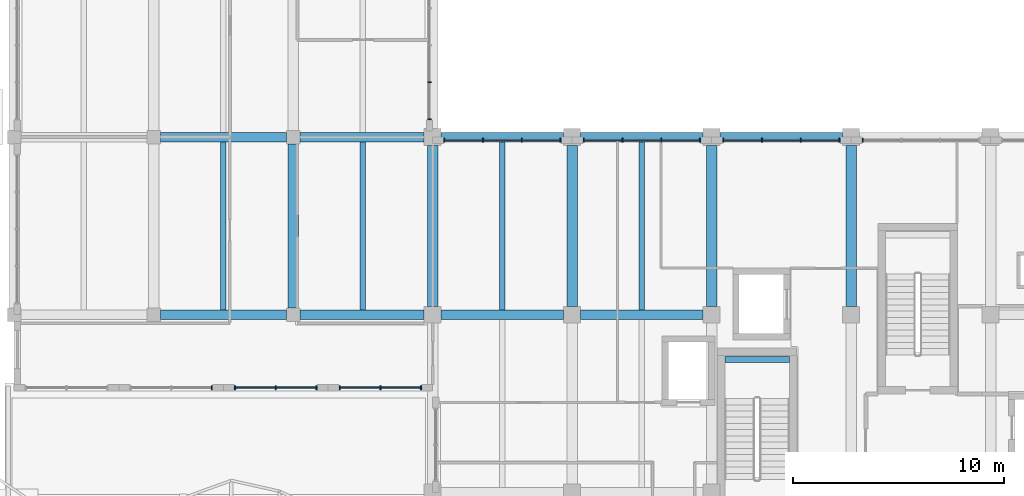
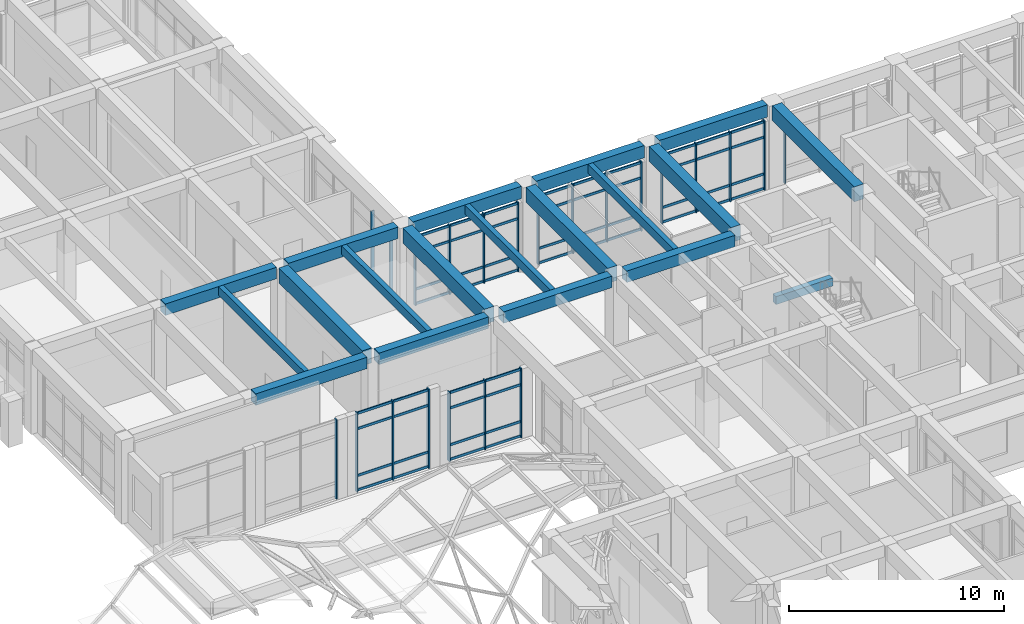
# One storey, part 29 of 79: 42 members, 19 beams, 8 elements without a shape of their own.
"""IFC4 building model written with IfcOpenShell, lengths in metres."""

from ifc_helpers import new_model, si_unit, direction, frame, origin, origin_2d, place, context, subcontext, project, spatial, rectangle, extrude, material, layer, layer_set, material_profile, profile_set, type_object, element, aggregate, save


model = new_model("IFC4")

# Units and contexts
model_context = context("Model", 3, precision=1e-05, world=origin(), true_north=direction((0.0, 1.0)))
body_context = subcontext(model_context, "Body", "Model", "MODEL_VIEW")
ifc_project = project(units=[si_unit("LENGTHUNIT", "METRE"), si_unit("AREAUNIT", "SQUARE_METRE"), si_unit("VOLUMEUNIT", "CUBIC_METRE"), si_unit("PLANEANGLEUNIT", "RADIAN"), si_unit("MASSUNIT", "GRAM", prefix="KILO")], contexts=[model_context])

# Site, building, storey
site_placement = place(None, origin())
site = spatial("IfcSite", under=ifc_project, at=site_placement, CompositionType="ELEMENT")
building_placement = place(site_placement, origin())
building = spatial("IfcBuilding", under=site, at=building_placement, Name="Kolvaren Faculty of Natural Sciences", CompositionType="ELEMENT")
storey_placement = place(building_placement, frame((0.0, 0.0, 10.199951171875)))
storey = spatial("IfcBuildingStorey", under=building, at=storey_placement, Name="L02", CompositionType="ELEMENT", Elevation=10.199951171875)

# Beam
ifc_material_1 = material(Name="Concrete C40/50", Category="concrete")
ifc_material_profile_1 = material_profile(ifc_material_1, rectangle(XDim=0.300048828125, YDim=0.449951171875, at=origin_2d()), Name="RC LNT 300x450")
ifc_profile_set_1 = profile_set([ifc_material_profile_1], Name="Concrete C40/50")
beam_type_1 = type_object("IfcBeamType", Name="CoreCouplingLintel_300x450", PredefinedType="LINTEL", material=ifc_profile_set_1)
beam_1_placement = place(storey_placement, frame((152.625, 73.679931640625, 1.97509765625), z_axis=(1.0, 0.0, 0.0), x_axis=(0.0, 1.0, 0.0)))
element("IfcBeam", 1, at=beam_1_placement, inside=storey, type_object=beam_type_1, Name="L02 ST-2 half-landing support lintel", PredefinedType="LINTEL", context=body_context, shape_type="SweptSolid", body=[
    extrude(rectangle(XDim=0.300048828125, YDim=0.449951171875, at=origin_2d()), origin(), (0.0, 0.0, 1.0), 3.050048828125),
])

# Curtain wall, members
ifc_material_2 = material(Name="Thermally broken anodised aluminium framing", Category="aluminium")
ifc_layer_1 = layer(ifc_material_2, 0.179931640625)
ifc_layer_set_1 = layer_set([ifc_layer_1], Name="Thermally broken anodised aluminium framing")
curtain_wall_type_1 = type_object("IfcCurtainWallType", Name="CommonsCurtainWall_CW02", PredefinedType="NOTDEFINED", material=ifc_layer_set_1)
curtain_wall_1_placement = place(storey_placement, origin())
curtain_wall_1 = element("IfcCurtainWall", 2, at=curtain_wall_1_placement, inside=storey, type_object=curtain_wall_type_1, Name="L02 unitised curtain wall CW-02 (CW-L02-085)", PredefinedType="NOTDEFINED")
ifc_material_profile_2 = material_profile(ifc_material_2, rectangle(XDim=0.06005859375, YDim=0.179931640625, at=origin_2d()), Name="ALU MUL 60x180")
ifc_profile_set_2 = profile_set([ifc_material_profile_2], Name="Thermally broken anodised aluminium framing")
member_type_1 = type_object("IfcMemberType", Name="CurtainMullion_60x180", PredefinedType="MULLION", material=ifc_profile_set_2)
member_1_placement = place(storey_placement, frame((138.25, 72.35009765625, 0.0), z_axis=(0.0, 0.0, 1.0), x_axis=(-1.0, 0.0, 0.0)))
member_1 = element("IfcMember", 3, at=member_1_placement, type_object=member_type_1, Name="CW-L02-085 vertical mullion 1", PredefinedType="MULLION", context=body_context, shape_type="SweptSolid", body=[
    extrude(rectangle(XDim=0.06005859375, YDim=0.179931640625, at=origin_2d()), origin(), (0.0, 0.0, 1.0), 3.93505859375),
])
member_2_placement = place(storey_placement, frame((136.324951171875, 72.35009765625, 0.0), z_axis=(0.0, 0.0, 1.0), x_axis=(-1.0, 0.0, 0.0)))
member_2 = element("IfcMember", 4, at=member_2_placement, type_object=member_type_1, Name="CW-L02-085 vertical mullion 2", PredefinedType="MULLION", context=body_context, shape_type="SweptSolid", body=[
    extrude(rectangle(XDim=0.06005859375, YDim=0.179931640625, at=origin_2d()), origin(), (0.0, 0.0, 1.0), 3.93505859375),
])
member_3_placement = place(storey_placement, frame((134.39990234375, 72.35009765625, 0.0), z_axis=(0.0, 0.0, 1.0), x_axis=(-1.0, 0.0, 0.0)))
member_3 = element("IfcMember", 5, at=member_3_placement, type_object=member_type_1, Name="CW-L02-085 vertical mullion 3", PredefinedType="MULLION", context=body_context, shape_type="SweptSolid", body=[
    extrude(rectangle(XDim=0.06005859375, YDim=0.179931640625, at=origin_2d()), origin(), (0.0, 0.0, 1.0), 3.93505859375),
])

curtain_wall_2_placement = place(storey_placement, origin())
curtain_wall_2 = element("IfcCurtainWall", 6, at=curtain_wall_2_placement, inside=storey, type_object=curtain_wall_type_1, Name="L02 unitised curtain wall CW-02 (CW-L02-086)", PredefinedType="NOTDEFINED")
member_4_placement = place(storey_placement, frame((133.300048828125, 72.35009765625, 0.0), z_axis=(0.0, 0.0, 1.0), x_axis=(-1.0, 0.0, 0.0)))
member_4 = element("IfcMember", 7, at=member_4_placement, type_object=member_type_1, Name="CW-L02-086 vertical mullion 1", PredefinedType="MULLION", context=body_context, shape_type="SweptSolid", body=[
    extrude(rectangle(XDim=0.06005859375, YDim=0.179931640625, at=origin_2d()), origin(), (0.0, 0.0, 1.0), 4.5),
])
member_5_placement = place(storey_placement, frame((131.375, 72.35009765625, 0.0), z_axis=(0.0, 0.0, 1.0), x_axis=(-1.0, 0.0, 0.0)))
member_5 = element("IfcMember", 8, at=member_5_placement, type_object=member_type_1, Name="CW-L02-086 vertical mullion 2", PredefinedType="MULLION", context=body_context, shape_type="SweptSolid", body=[
    extrude(rectangle(XDim=0.06005859375, YDim=0.179931640625, at=origin_2d()), origin(), (0.0, 0.0, 1.0), 4.5),
])
member_6_placement = place(storey_placement, frame((129.449951171875, 72.35009765625, 0.0), z_axis=(0.0, 0.0, 1.0), x_axis=(-1.0, 0.0, 0.0)))
member_6 = element("IfcMember", 9, at=member_6_placement, type_object=member_type_1, Name="CW-L02-086 vertical mullion 3", PredefinedType="MULLION", context=body_context, shape_type="SweptSolid", body=[
    extrude(rectangle(XDim=0.06005859375, YDim=0.179931640625, at=origin_2d()), origin(), (0.0, 0.0, 1.0), 4.5),
])

# Curtain wall, member
curtain_wall_3_placement = place(storey_placement, origin())
curtain_wall_3 = element("IfcCurtainWall", 10, at=curtain_wall_3_placement, inside=storey, type_object=curtain_wall_type_1, Name="L02 unitised curtain wall CW-02 (CW-L02-087)", PredefinedType="NOTDEFINED")
member_7_placement = place(storey_placement, frame((128.35009765625, 72.35009765625, 0.0), z_axis=(0.0, 0.0, 1.0), x_axis=(-1.0, 0.0, 0.0)))
member_7 = element("IfcMember", 11, at=member_7_placement, type_object=member_type_1, Name="CW-L02-087 vertical mullion 1", PredefinedType="MULLION", context=body_context, shape_type="SweptSolid", body=[
    extrude(rectangle(XDim=0.06005859375, YDim=0.179931640625, at=origin_2d()), origin(), (0.0, 0.0, 1.0), 4.5),
])
aggregate(curtain_wall_3, [member_7])

# Curtain wall, members
ifc_layer_2 = layer(ifc_material_2, 0.179931640625)
ifc_layer_set_2 = layer_set([ifc_layer_2], Name="Thermally broken anodised aluminium framing")
curtain_wall_type_2 = type_object("IfcCurtainWallType", Name="TowerNorthCurtainWall_CW03", PredefinedType="NOTDEFINED", material=ifc_layer_set_2)
curtain_wall_4_placement = place(storey_placement, origin())
curtain_wall_4 = element("IfcCurtainWall", 12, at=curtain_wall_4_placement, inside=storey, type_object=curtain_wall_type_2, Name="L02 unitised curtain wall CW-03 (CW-L02-096)", PredefinedType="NOTDEFINED")
member_8_placement = place(storey_placement, frame((138.64990234375, 86.800048828125, 0.0), z_axis=(0.0, 0.0, 1.0), x_axis=(0.0, -1.0, 0.0)))
member_8 = element("IfcMember", 13, at=member_8_placement, type_object=member_type_1, Name="CW-L02-096 vertical mullion 4", PredefinedType="MULLION", context=body_context, shape_type="SweptSolid", body=[
    extrude(rectangle(XDim=0.06005859375, YDim=0.179931640625, at=origin_2d()), origin(), (0.0, 0.0, 1.0), 3.93505859375),
])
member_9_placement = place(storey_placement, frame((138.64990234375, 85.050048828125, 0.0), z_axis=(0.0, 0.0, 1.0), x_axis=(0.0, -1.0, 0.0)))
member_9 = element("IfcMember", 14, at=member_9_placement, type_object=member_type_1, Name="CW-L02-096 vertical mullion 5", PredefinedType="MULLION", context=body_context, shape_type="SweptSolid", body=[
    extrude(rectangle(XDim=0.06005859375, YDim=0.179931640625, at=origin_2d()), origin(), (0.0, 0.0, 1.0), 3.93505859375),
])
aggregate(curtain_wall_4, [member_8, member_9])

curtain_wall_5_placement = place(storey_placement, origin())
curtain_wall_5 = element("IfcCurtainWall", 15, at=curtain_wall_5_placement, inside=storey, type_object=curtain_wall_type_2, Name="L02 unitised curtain wall CW-03 (CW-L02-097)", PredefinedType="NOTDEFINED")
member_10_placement = place(storey_placement, frame((139.35009765625, 84.050048828125, 0.0), z_axis=(0.0, 0.0, 1.0), x_axis=(1.0, 0.0, 0.0)))
member_10 = element("IfcMember", 16, at=member_10_placement, type_object=member_type_1, Name="CW-L02-097 vertical mullion 1", PredefinedType="MULLION", context=body_context, shape_type="SweptSolid", body=[
    extrude(rectangle(XDim=0.06005859375, YDim=0.179931640625, at=origin_2d()), origin(), (0.0, 0.0, 1.0), 3.93505859375),
])
member_11_placement = place(storey_placement, frame((141.183349609375, 84.050048828125, 0.0), z_axis=(0.0, 0.0, 1.0), x_axis=(1.0, 0.0, 0.0)))
member_11 = element("IfcMember", 17, at=member_11_placement, type_object=member_type_1, Name="CW-L02-097 vertical mullion 2", PredefinedType="MULLION", context=body_context, shape_type="SweptSolid", body=[
    extrude(rectangle(XDim=0.06005859375, YDim=0.179931640625, at=origin_2d()), origin(), (0.0, 0.0, 1.0), 3.93505859375),
])
member_12_placement = place(storey_placement, frame((143.0166015625, 84.050048828125, 0.0), z_axis=(0.0, 0.0, 1.0), x_axis=(1.0, 0.0, 0.0)))
member_12 = element("IfcMember", 18, at=member_12_placement, type_object=member_type_1, Name="CW-L02-097 vertical mullion 3", PredefinedType="MULLION", context=body_context, shape_type="SweptSolid", body=[
    extrude(rectangle(XDim=0.06005859375, YDim=0.179931640625, at=origin_2d()), origin(), (0.0, 0.0, 1.0), 3.93505859375),
])
member_13_placement = place(storey_placement, frame((144.85009765625, 84.050048828125, 0.0), z_axis=(0.0, 0.0, 1.0), x_axis=(1.0, 0.0, 0.0)))
member_13 = element("IfcMember", 19, at=member_13_placement, type_object=member_type_1, Name="CW-L02-097 vertical mullion 4", PredefinedType="MULLION", context=body_context, shape_type="SweptSolid", body=[
    extrude(rectangle(XDim=0.06005859375, YDim=0.179931640625, at=origin_2d()), origin(), (0.0, 0.0, 1.0), 3.93505859375),
])

curtain_wall_6_placement = place(storey_placement, origin())
curtain_wall_6 = element("IfcCurtainWall", 20, at=curtain_wall_6_placement, inside=storey, type_object=curtain_wall_type_2, Name="L02 unitised curtain wall CW-03 (CW-L02-098)", PredefinedType="NOTDEFINED")
member_14_placement = place(storey_placement, frame((145.949951171875, 84.050048828125, 0.0), z_axis=(0.0, 0.0, 1.0), x_axis=(1.0, 0.0, 0.0)))
member_14 = element("IfcMember", 21, at=member_14_placement, type_object=member_type_1, Name="CW-L02-098 vertical mullion 1", PredefinedType="MULLION", context=body_context, shape_type="SweptSolid", body=[
    extrude(rectangle(XDim=0.06005859375, YDim=0.179931640625, at=origin_2d()), origin(), (0.0, 0.0, 1.0), 3.93505859375),
])
member_15_placement = place(storey_placement, frame((147.783203125, 84.050048828125, 0.0), z_axis=(0.0, 0.0, 1.0), x_axis=(1.0, 0.0, 0.0)))
member_15 = element("IfcMember", 22, at=member_15_placement, type_object=member_type_1, Name="CW-L02-098 vertical mullion 2", PredefinedType="MULLION", context=body_context, shape_type="SweptSolid", body=[
    extrude(rectangle(XDim=0.06005859375, YDim=0.179931640625, at=origin_2d()), origin(), (0.0, 0.0, 1.0), 3.93505859375),
])
member_16_placement = place(storey_placement, frame((149.61669921875, 84.050048828125, 0.0), z_axis=(0.0, 0.0, 1.0), x_axis=(1.0, 0.0, 0.0)))
member_16 = element("IfcMember", 23, at=member_16_placement, type_object=member_type_1, Name="CW-L02-098 vertical mullion 3", PredefinedType="MULLION", context=body_context, shape_type="SweptSolid", body=[
    extrude(rectangle(XDim=0.06005859375, YDim=0.179931640625, at=origin_2d()), origin(), (0.0, 0.0, 1.0), 3.93505859375),
])
member_17_placement = place(storey_placement, frame((151.449951171875, 84.050048828125, 0.0), z_axis=(0.0, 0.0, 1.0), x_axis=(1.0, 0.0, 0.0)))
member_17 = element("IfcMember", 24, at=member_17_placement, type_object=member_type_1, Name="CW-L02-098 vertical mullion 4", PredefinedType="MULLION", context=body_context, shape_type="SweptSolid", body=[
    extrude(rectangle(XDim=0.06005859375, YDim=0.179931640625, at=origin_2d()), origin(), (0.0, 0.0, 1.0), 3.93505859375),
])

curtain_wall_7_placement = place(storey_placement, origin())
curtain_wall_7 = element("IfcCurtainWall", 25, at=curtain_wall_7_placement, inside=storey, type_object=curtain_wall_type_2, Name="L02 unitised curtain wall CW-03 (CW-L02-099)", PredefinedType="NOTDEFINED")
member_18_placement = place(storey_placement, frame((152.550048828125, 84.050048828125, 0.0), z_axis=(0.0, 0.0, 1.0), x_axis=(1.0, 0.0, 0.0)))
member_18 = element("IfcMember", 26, at=member_18_placement, type_object=member_type_1, Name="CW-L02-099 vertical mullion 1", PredefinedType="MULLION", context=body_context, shape_type="SweptSolid", body=[
    extrude(rectangle(XDim=0.06005859375, YDim=0.179931640625, at=origin_2d()), origin(), (0.0, 0.0, 1.0), 3.93505859375),
])
member_19_placement = place(storey_placement, frame((154.38330078125, 84.050048828125, 0.0), z_axis=(0.0, 0.0, 1.0), x_axis=(1.0, 0.0, 0.0)))
member_19 = element("IfcMember", 27, at=member_19_placement, type_object=member_type_1, Name="CW-L02-099 vertical mullion 2", PredefinedType="MULLION", context=body_context, shape_type="SweptSolid", body=[
    extrude(rectangle(XDim=0.06005859375, YDim=0.179931640625, at=origin_2d()), origin(), (0.0, 0.0, 1.0), 3.93505859375),
])
member_20_placement = place(storey_placement, frame((156.216796875, 84.050048828125, 0.0), z_axis=(0.0, 0.0, 1.0), x_axis=(1.0, 0.0, 0.0)))
member_20 = element("IfcMember", 28, at=member_20_placement, type_object=member_type_1, Name="CW-L02-099 vertical mullion 3", PredefinedType="MULLION", context=body_context, shape_type="SweptSolid", body=[
    extrude(rectangle(XDim=0.06005859375, YDim=0.179931640625, at=origin_2d()), origin(), (0.0, 0.0, 1.0), 3.93505859375),
])
member_21_placement = place(storey_placement, frame((158.050048828125, 84.050048828125, 0.0), z_axis=(0.0, 0.0, 1.0), x_axis=(1.0, 0.0, 0.0)))
member_21 = element("IfcMember", 29, at=member_21_placement, type_object=member_type_1, Name="CW-L02-099 vertical mullion 4", PredefinedType="MULLION", context=body_context, shape_type="SweptSolid", body=[
    extrude(rectangle(XDim=0.06005859375, YDim=0.179931640625, at=origin_2d()), origin(), (0.0, 0.0, 1.0), 3.93505859375),
])

# Curtain wall, member
curtain_wall_8_placement = place(storey_placement, origin())
curtain_wall_8 = element("IfcCurtainWall", 30, at=curtain_wall_8_placement, inside=storey, type_object=curtain_wall_type_2, Name="L02 unitised curtain wall CW-03 (CW-L02-100)", PredefinedType="NOTDEFINED")
member_22_placement = place(storey_placement, frame((159.14990234375, 84.050048828125, 0.0), z_axis=(0.0, 0.0, 1.0), x_axis=(1.0, 0.0, 0.0)))
member_22 = element("IfcMember", 31, at=member_22_placement, type_object=member_type_1, Name="CW-L02-100 vertical mullion 1", PredefinedType="MULLION", context=body_context, shape_type="SweptSolid", body=[
    extrude(rectangle(XDim=0.06005859375, YDim=0.179931640625, at=origin_2d()), origin(), (0.0, 0.0, 1.0), 3.93505859375),
])
aggregate(curtain_wall_8, [member_22])

# Member
ifc_material_profile_3 = material_profile(ifc_material_2, rectangle(XDim=0.06005859375, YDim=0.139892578125, at=origin_2d()), Name="ALU TRN 60x140")
ifc_profile_set_3 = profile_set([ifc_material_profile_3], Name="Thermally broken anodised aluminium framing")
member_type_2 = type_object("IfcMemberType", Name="CurtainTransom_60x140", PredefinedType="USERDEFINED", material=ifc_profile_set_3)
member_23_placement = place(storey_placement, frame((138.25, 72.35009765625, 0.080078125), z_axis=(-1.0, 0.0, 0.0), x_axis=(0.0, -1.0, 0.0)))
member_23 = element("IfcMember", 32, at=member_23_placement, type_object=member_type_2, Name="CW-L02-085 horizontal transom 1", ObjectType="TRANSOM", PredefinedType="USERDEFINED", context=body_context, shape_type="SweptSolid", body=[
    extrude(rectangle(XDim=0.06005859375, YDim=0.139892578125, at=origin_2d()), origin(), (0.0, 0.0, 1.0), 3.85009765625),
])

member_24_placement = place(storey_placement, frame((138.25, 72.35009765625, 0.900146484375), z_axis=(-1.0, 0.0, 0.0), x_axis=(0.0, -1.0, 0.0)))
member_24 = element("IfcMember", 33, at=member_24_placement, type_object=member_type_2, Name="CW-L02-085 horizontal transom 2", ObjectType="TRANSOM", PredefinedType="USERDEFINED", context=body_context, shape_type="SweptSolid", body=[
    extrude(rectangle(XDim=0.06005859375, YDim=0.139892578125, at=origin_2d()), origin(), (0.0, 0.0, 1.0), 3.85009765625),
])

member_25_placement = place(storey_placement, frame((138.25, 72.35009765625, 2.985107421875), z_axis=(-1.0, 0.0, 0.0), x_axis=(0.0, -1.0, 0.0)))
member_25 = element("IfcMember", 34, at=member_25_placement, type_object=member_type_2, Name="CW-L02-085 horizontal transom 3", ObjectType="TRANSOM", PredefinedType="USERDEFINED", context=body_context, shape_type="SweptSolid", body=[
    extrude(rectangle(XDim=0.06005859375, YDim=0.139892578125, at=origin_2d()), origin(), (0.0, 0.0, 1.0), 3.85009765625),
])

member_26_placement = place(storey_placement, frame((138.25, 72.35009765625, 3.85498046875), z_axis=(-1.0, 0.0, 0.0), x_axis=(0.0, -1.0, 0.0)))
member_26 = element("IfcMember", 35, at=member_26_placement, type_object=member_type_2, Name="CW-L02-085 horizontal transom 4", ObjectType="TRANSOM", PredefinedType="USERDEFINED", context=body_context, shape_type="SweptSolid", body=[
    extrude(rectangle(XDim=0.06005859375, YDim=0.139892578125, at=origin_2d()), origin(), (0.0, 0.0, 1.0), 3.85009765625),
])

aggregate(curtain_wall_1, [member_1, member_2, member_3, member_23, member_24, member_25, member_26])

member_27_placement = place(storey_placement, frame((133.300048828125, 72.35009765625, 0.080078125), z_axis=(-1.0, 0.0, 0.0), x_axis=(0.0, -1.0, 0.0)))
member_27 = element("IfcMember", 36, at=member_27_placement, type_object=member_type_2, Name="CW-L02-086 horizontal transom 1", ObjectType="TRANSOM", PredefinedType="USERDEFINED", context=body_context, shape_type="SweptSolid", body=[
    extrude(rectangle(XDim=0.06005859375, YDim=0.139892578125, at=origin_2d()), origin(), (0.0, 0.0, 1.0), 3.85009765625),
])

member_28_placement = place(storey_placement, frame((133.300048828125, 72.35009765625, 0.900146484375), z_axis=(-1.0, 0.0, 0.0), x_axis=(0.0, -1.0, 0.0)))
member_28 = element("IfcMember", 37, at=member_28_placement, type_object=member_type_2, Name="CW-L02-086 horizontal transom 2", ObjectType="TRANSOM", PredefinedType="USERDEFINED", context=body_context, shape_type="SweptSolid", body=[
    extrude(rectangle(XDim=0.06005859375, YDim=0.139892578125, at=origin_2d()), origin(), (0.0, 0.0, 1.0), 3.85009765625),
])

member_29_placement = place(storey_placement, frame((133.300048828125, 72.35009765625, 3.550048828125), z_axis=(-1.0, 0.0, 0.0), x_axis=(0.0, -1.0, 0.0)))
member_29 = element("IfcMember", 38, at=member_29_placement, type_object=member_type_2, Name="CW-L02-086 horizontal transom 3", ObjectType="TRANSOM", PredefinedType="USERDEFINED", context=body_context, shape_type="SweptSolid", body=[
    extrude(rectangle(XDim=0.06005859375, YDim=0.139892578125, at=origin_2d()), origin(), (0.0, 0.0, 1.0), 3.85009765625),
])

member_30_placement = place(storey_placement, frame((133.300048828125, 72.35009765625, 4.420166015625), z_axis=(-1.0, 0.0, 0.0), x_axis=(0.0, -1.0, 0.0)))
member_30 = element("IfcMember", 39, at=member_30_placement, type_object=member_type_2, Name="CW-L02-086 horizontal transom 4", ObjectType="TRANSOM", PredefinedType="USERDEFINED", context=body_context, shape_type="SweptSolid", body=[
    extrude(rectangle(XDim=0.06005859375, YDim=0.139892578125, at=origin_2d()), origin(), (0.0, 0.0, 1.0), 3.85009765625),
])

aggregate(curtain_wall_2, [member_4, member_5, member_6, member_27, member_28, member_29, member_30])

member_31_placement = place(storey_placement, frame((139.35009765625, 84.050048828125, 0.080078125), z_axis=(1.0, 0.0, 0.0), x_axis=(0.0, 1.0, 0.0)))
member_31 = element("IfcMember", 40, at=member_31_placement, type_object=member_type_2, Name="CW-L02-097 horizontal transom 1", ObjectType="TRANSOM", PredefinedType="USERDEFINED", context=body_context, shape_type="SweptSolid", body=[
    extrude(rectangle(XDim=0.06005859375, YDim=0.139892578125, at=origin_2d()), origin(), (0.0, 0.0, 1.0), 5.5),
])

member_32_placement = place(storey_placement, frame((139.35009765625, 84.050048828125, 0.900146484375), z_axis=(1.0, 0.0, 0.0), x_axis=(0.0, 1.0, 0.0)))
member_32 = element("IfcMember", 41, at=member_32_placement, type_object=member_type_2, Name="CW-L02-097 horizontal transom 2", ObjectType="TRANSOM", PredefinedType="USERDEFINED", context=body_context, shape_type="SweptSolid", body=[
    extrude(rectangle(XDim=0.06005859375, YDim=0.139892578125, at=origin_2d()), origin(), (0.0, 0.0, 1.0), 5.5),
])

member_33_placement = place(storey_placement, frame((139.35009765625, 84.050048828125, 2.985107421875), z_axis=(1.0, 0.0, 0.0), x_axis=(0.0, 1.0, 0.0)))
member_33 = element("IfcMember", 42, at=member_33_placement, type_object=member_type_2, Name="CW-L02-097 horizontal transom 3", ObjectType="TRANSOM", PredefinedType="USERDEFINED", context=body_context, shape_type="SweptSolid", body=[
    extrude(rectangle(XDim=0.06005859375, YDim=0.139892578125, at=origin_2d()), origin(), (0.0, 0.0, 1.0), 5.5),
])

member_34_placement = place(storey_placement, frame((139.35009765625, 84.050048828125, 3.85498046875), z_axis=(1.0, 0.0, 0.0), x_axis=(0.0, 1.0, 0.0)))
member_34 = element("IfcMember", 43, at=member_34_placement, type_object=member_type_2, Name="CW-L02-097 horizontal transom 4", ObjectType="TRANSOM", PredefinedType="USERDEFINED", context=body_context, shape_type="SweptSolid", body=[
    extrude(rectangle(XDim=0.06005859375, YDim=0.139892578125, at=origin_2d()), origin(), (0.0, 0.0, 1.0), 5.5),
])

aggregate(curtain_wall_5, [member_10, member_11, member_12, member_13, member_31, member_32, member_33, member_34])

member_35_placement = place(storey_placement, frame((145.949951171875, 84.050048828125, 0.080078125), z_axis=(1.0, 0.0, 0.0), x_axis=(0.0, 1.0, 0.0)))
member_35 = element("IfcMember", 44, at=member_35_placement, type_object=member_type_2, Name="CW-L02-098 horizontal transom 1", ObjectType="TRANSOM", PredefinedType="USERDEFINED", context=body_context, shape_type="SweptSolid", body=[
    extrude(rectangle(XDim=0.06005859375, YDim=0.139892578125, at=origin_2d()), origin(), (0.0, 0.0, 1.0), 5.5),
])

member_36_placement = place(storey_placement, frame((145.949951171875, 84.050048828125, 0.900146484375), z_axis=(1.0, 0.0, 0.0), x_axis=(0.0, 1.0, 0.0)))
member_36 = element("IfcMember", 45, at=member_36_placement, type_object=member_type_2, Name="CW-L02-098 horizontal transom 2", ObjectType="TRANSOM", PredefinedType="USERDEFINED", context=body_context, shape_type="SweptSolid", body=[
    extrude(rectangle(XDim=0.06005859375, YDim=0.139892578125, at=origin_2d()), origin(), (0.0, 0.0, 1.0), 5.5),
])

member_37_placement = place(storey_placement, frame((145.949951171875, 84.050048828125, 2.985107421875), z_axis=(1.0, 0.0, 0.0), x_axis=(0.0, 1.0, 0.0)))
member_37 = element("IfcMember", 46, at=member_37_placement, type_object=member_type_2, Name="CW-L02-098 horizontal transom 3", ObjectType="TRANSOM", PredefinedType="USERDEFINED", context=body_context, shape_type="SweptSolid", body=[
    extrude(rectangle(XDim=0.06005859375, YDim=0.139892578125, at=origin_2d()), origin(), (0.0, 0.0, 1.0), 5.5),
])

member_38_placement = place(storey_placement, frame((145.949951171875, 84.050048828125, 3.85498046875), z_axis=(1.0, 0.0, 0.0), x_axis=(0.0, 1.0, 0.0)))
member_38 = element("IfcMember", 47, at=member_38_placement, type_object=member_type_2, Name="CW-L02-098 horizontal transom 4", ObjectType="TRANSOM", PredefinedType="USERDEFINED", context=body_context, shape_type="SweptSolid", body=[
    extrude(rectangle(XDim=0.06005859375, YDim=0.139892578125, at=origin_2d()), origin(), (0.0, 0.0, 1.0), 5.5),
])

aggregate(curtain_wall_6, [member_14, member_15, member_16, member_17, member_35, member_36, member_37, member_38])

member_39_placement = place(storey_placement, frame((152.550048828125, 84.050048828125, 0.080078125), z_axis=(1.0, 0.0, 0.0), x_axis=(0.0, 1.0, 0.0)))
member_39 = element("IfcMember", 48, at=member_39_placement, type_object=member_type_2, Name="CW-L02-099 horizontal transom 1", ObjectType="TRANSOM", PredefinedType="USERDEFINED", context=body_context, shape_type="SweptSolid", body=[
    extrude(rectangle(XDim=0.06005859375, YDim=0.139892578125, at=origin_2d()), origin(), (0.0, 0.0, 1.0), 5.5),
])

member_40_placement = place(storey_placement, frame((152.550048828125, 84.050048828125, 0.900146484375), z_axis=(1.0, 0.0, 0.0), x_axis=(0.0, 1.0, 0.0)))
member_40 = element("IfcMember", 49, at=member_40_placement, type_object=member_type_2, Name="CW-L02-099 horizontal transom 2", ObjectType="TRANSOM", PredefinedType="USERDEFINED", context=body_context, shape_type="SweptSolid", body=[
    extrude(rectangle(XDim=0.06005859375, YDim=0.139892578125, at=origin_2d()), origin(), (0.0, 0.0, 1.0), 5.5),
])

member_41_placement = place(storey_placement, frame((152.550048828125, 84.050048828125, 2.985107421875), z_axis=(1.0, 0.0, 0.0), x_axis=(0.0, 1.0, 0.0)))
member_41 = element("IfcMember", 50, at=member_41_placement, type_object=member_type_2, Name="CW-L02-099 horizontal transom 3", ObjectType="TRANSOM", PredefinedType="USERDEFINED", context=body_context, shape_type="SweptSolid", body=[
    extrude(rectangle(XDim=0.06005859375, YDim=0.139892578125, at=origin_2d()), origin(), (0.0, 0.0, 1.0), 5.5),
])

member_42_placement = place(storey_placement, frame((152.550048828125, 84.050048828125, 3.85498046875), z_axis=(1.0, 0.0, 0.0), x_axis=(0.0, 1.0, 0.0)))
member_42 = element("IfcMember", 51, at=member_42_placement, type_object=member_type_2, Name="CW-L02-099 horizontal transom 4", ObjectType="TRANSOM", PredefinedType="USERDEFINED", context=body_context, shape_type="SweptSolid", body=[
    extrude(rectangle(XDim=0.06005859375, YDim=0.139892578125, at=origin_2d()), origin(), (0.0, 0.0, 1.0), 5.5),
])

aggregate(curtain_wall_7, [member_18, member_19, member_20, member_21, member_39, member_40, member_41, member_42])

# Beams
ifc_material_3 = material(Name="Concrete C35/45", Category="concrete")
ifc_material_profile_4 = material_profile(ifc_material_3, rectangle(XDim=0.449951171875, YDim=0.64990234375, at=origin_2d()), Name="RC BM 450x650")
ifc_profile_set_4 = profile_set([ifc_material_profile_4], Name="Concrete C35/45")
beam_type_2 = type_object("IfcBeamType", Name="GridBeam_450x650", PredefinedType="BEAM", material=ifc_profile_set_4)
beam_2_placement = place(storey_placement, frame((125.925048828125, 75.800048828125, 4.47509765625), z_axis=(1.0, 0.0, 0.0), x_axis=(0.0, 1.0, 0.0)))
element("IfcBeam", 52, at=beam_2_placement, inside=storey, type_object=beam_type_2, Name="L02 beam BM-65 on grid K", PredefinedType="BEAM", context=body_context, shape_type="SweptSolid", body=[
    extrude(rectangle(XDim=0.449951171875, YDim=0.64990234375, at=origin_2d()), origin(), (0.0, 0.0, 1.0), 5.949951171875),
])
beam_3_placement = place(storey_placement, frame((132.52490234375, 75.800048828125, 4.47509765625), z_axis=(1.0, 0.0, 0.0), x_axis=(0.0, 1.0, 0.0)))
element("IfcBeam", 53, at=beam_3_placement, inside=storey, type_object=beam_type_2, Name="L02 beam BM-65 on grid K", PredefinedType="BEAM", context=body_context, shape_type="SweptSolid", body=[
    extrude(rectangle(XDim=0.449951171875, YDim=0.64990234375, at=origin_2d()), origin(), (0.0, 0.0, 1.0), 5.875),
])
for number, where, z_axis, x_axis, name in (
    (54, (139.199951171875, 75.800048828125, 4.47509765625), (1.0, 0.0, 0.0), (0.0, 1.0, 0.0), "L02 beam BM-65 on grid K"),
    (55, (145.800048828125, 75.800048828125, 4.47509765625), (1.0, 0.0, 0.0), (0.0, 1.0, 0.0), "L02 beam BM-65 on grid K"),
):
    element("IfcBeam", number, at=place(storey_placement, frame(where, z_axis=z_axis, x_axis=x_axis)), inside=storey, type_object=beam_type_2, Name=name, PredefinedType="BEAM", context=body_context, shape_type="SweptSolid", body=[
        extrude(rectangle(XDim=0.449951171875, YDim=0.64990234375, at=origin_2d()), origin(), (0.0, 0.0, 1.0), 5.800048828125),
    ])
beam_4_placement = place(storey_placement, frame((125.925048828125, 84.199951171875, 4.47509765625), z_axis=(1.0, 0.0, 0.0), x_axis=(0.0, 1.0, 0.0)))
element("IfcBeam", 56, at=beam_4_placement, inside=storey, type_object=beam_type_2, Name="L02 beam BM-65 on grid L", PredefinedType="BEAM", context=body_context, shape_type="SweptSolid", body=[
    extrude(rectangle(XDim=0.449951171875, YDim=0.64990234375, at=origin_2d()), origin(), (0.0, 0.0, 1.0), 5.949951171875),
])
beam_5_placement = place(storey_placement, frame((132.52490234375, 84.199951171875, 4.47509765625), z_axis=(1.0, 0.0, 0.0), x_axis=(0.0, 1.0, 0.0)))
element("IfcBeam", 57, at=beam_5_placement, inside=storey, type_object=beam_type_2, Name="L02 beam BM-65 on grid L", PredefinedType="BEAM", context=body_context, shape_type="SweptSolid", body=[
    extrude(rectangle(XDim=0.449951171875, YDim=0.64990234375, at=origin_2d()), origin(), (0.0, 0.0, 1.0), 5.875),
])
ifc_material_profile_5 = material_profile(ifc_material_3, rectangle(XDim=0.260009765625, YDim=0.5, at=origin_2d()), Name="RC JST 260x500")
ifc_profile_set_5 = profile_set([ifc_material_profile_5], Name="Concrete C35/45")
beam_type_3 = type_object("IfcBeamType", Name="LabRibJoist_260x500", PredefinedType="JOIST", material=ifc_profile_set_5)
for number, where, z_axis, x_axis, name in (
    (58, (128.89990234375, 76.02490234375, 4.550048828125), (0.0, 1.0, 0.0), (-1.0, 0.0, 0.0), "L02 ribbed laboratory slab joist JS-50"),
    (59, (135.5, 76.02490234375, 4.550048828125), (0.0, 1.0, 0.0), (-1.0, 0.0, 0.0), "L02 ribbed laboratory slab joist JS-50"),
    (60, (142.10009765625, 76.02490234375, 4.550048828125), (0.0, 1.0, 0.0), (-1.0, 0.0, 0.0), "L02 ribbed laboratory slab joist JS-50"),
    (61, (148.699951171875, 76.02490234375, 4.550048828125), (0.0, 1.0, 0.0), (-1.0, 0.0, 0.0), "L02 ribbed laboratory slab joist JS-50"),
):
    element("IfcBeam", number, at=place(storey_placement, frame(where, z_axis=z_axis, x_axis=x_axis)), inside=storey, type_object=beam_type_3, Name=name, PredefinedType="JOIST", context=body_context, shape_type="SweptSolid", body=[
        extrude(rectangle(XDim=0.260009765625, YDim=0.5, at=origin_2d()), origin(), (0.0, 0.0, 1.0), 7.9501953125),
    ])
ifc_material_profile_6 = material_profile(ifc_material_3, rectangle(XDim=0.449951171875, YDim=0.699951171875, at=origin_2d()), Name="RC SP 450x700")
ifc_profile_set_6 = profile_set([ifc_material_profile_6], Name="Concrete C35/45")
beam_type_4 = type_object("IfcBeamType", Name="PerimeterSpandrel_450x700", PredefinedType="SPANDREL", material=ifc_profile_set_6)
for number, where, z_axis, x_axis, name in (
    (62, (139.199951171875, 84.199951171875, 4.449951171875), (1.0, 0.0, 0.0), (0.0, 1.0, 0.0), "L02 spandrel SP-70 on grid L"),
    (63, (145.800048828125, 84.199951171875, 4.449951171875), (1.0, 0.0, 0.0), (0.0, 1.0, 0.0), "L02 spandrel SP-70 on grid L"),
    (64, (152.39990234375, 84.199951171875, 4.449951171875), (1.0, 0.0, 0.0), (0.0, 1.0, 0.0), "L02 spandrel SP-70 on grid L"),
):
    element("IfcBeam", number, at=place(storey_placement, frame(where, z_axis=z_axis, x_axis=x_axis)), inside=storey, type_object=beam_type_4, Name=name, PredefinedType="SPANDREL", context=body_context, shape_type="SweptSolid", body=[
        extrude(rectangle(XDim=0.449951171875, YDim=0.699951171875, at=origin_2d()), origin(), (0.0, 0.0, 1.0), 5.800048828125),
    ])
ifc_material_profile_7 = material_profile(ifc_material_3, rectangle(XDim=0.5, YDim=0.85009765625, at=origin_2d()), Name="RC BM 500x850")
ifc_profile_set_7 = profile_set([ifc_material_profile_7], Name="Concrete C35/45")
beam_type_5 = type_object("IfcBeamType", Name="PrimaryGirder_500x850", PredefinedType="BEAM", material=ifc_profile_set_7)
beam_6_placement = place(storey_placement, frame((132.199951171875, 76.125, 4.375), z_axis=(0.0, 1.0, 0.0), x_axis=(-1.0, 0.0, 0.0)))
element("IfcBeam", 65, at=beam_6_placement, inside=storey, type_object=beam_type_5, Name="L02 girder BG-85 on grid 21", PredefinedType="BEAM", context=body_context, shape_type="SweptSolid", body=[
    extrude(rectangle(XDim=0.5, YDim=0.85009765625, at=origin_2d()), origin(), (0.0, 0.0, 1.0), 7.75),
])
for number, where, z_axis, x_axis, name in (
    (66, (138.800048828125, 76.199951171875, 4.375), (0.0, 1.0, 0.0), (-1.0, 0.0, 0.0), "L02 girder BG-85 on grid 22"),
    (67, (145.39990234375, 76.199951171875, 4.375), (0.0, 1.0, 0.0), (-1.0, 0.0, 0.0), "L02 girder BG-85 on grid 23"),
    (68, (152.0, 76.199951171875, 4.375), (0.0, 1.0, 0.0), (-1.0, 0.0, 0.0), "L02 girder BG-85 on grid 24"),
    (69, (158.60009765625, 76.199951171875, 4.375), (0.0, 1.0, 0.0), (-1.0, 0.0, 0.0), "L02 girder BG-85 on grid 25"),
):
    element("IfcBeam", number, at=place(storey_placement, frame(where, z_axis=z_axis, x_axis=x_axis)), inside=storey, type_object=beam_type_5, Name=name, PredefinedType="BEAM", context=body_context, shape_type="SweptSolid", body=[
        extrude(rectangle(XDim=0.5, YDim=0.85009765625, at=origin_2d()), origin(), (0.0, 0.0, 1.0), 7.60009765625),
    ])

save(model, "model.ifc")
